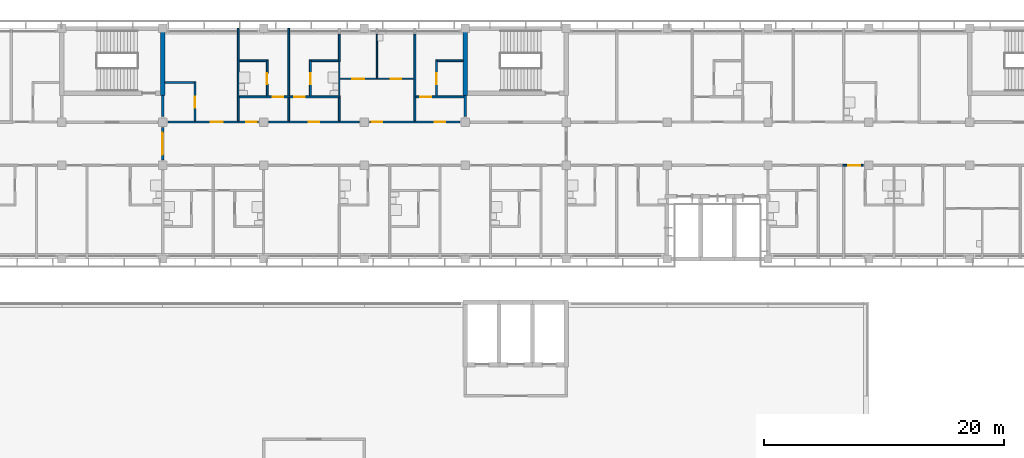
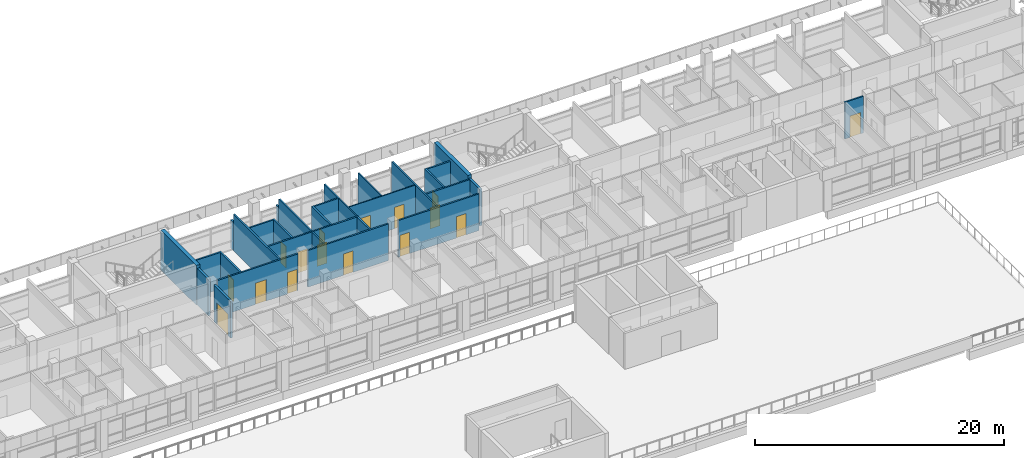
# One storey, part 25 of 46: 30 walls, 16 doors, 16 openings.
"""IFC4 building model written with IfcOpenShell, lengths in metres."""

from ifc_helpers import new_model, si_unit, direction, frame, frame_2d, origin, place, context, subcontext, project, spatial, rectangle, extrude, material, layer, layer_set, type_object, element, fill, save


model = new_model("IFC4")

# Units and contexts
model_context = context("Model", 3, precision=1e-05, world=origin(), true_north=direction((0.0, 1.0)))
body_context = subcontext(model_context, "Body", "Model", "MODEL_VIEW")
ifc_project = project(units=[si_unit("LENGTHUNIT", "METRE"), si_unit("AREAUNIT", "SQUARE_METRE"), si_unit("VOLUMEUNIT", "CUBIC_METRE"), si_unit("PLANEANGLEUNIT", "RADIAN"), si_unit("MASSUNIT", "GRAM", prefix="KILO")], contexts=[model_context])

# Site, building, storey
site_placement = place(None, origin())
site = spatial("IfcSite", under=ifc_project, at=site_placement, CompositionType="ELEMENT")
building_placement = place(site_placement, origin())
building = spatial("IfcBuilding", under=site, at=building_placement, Name="Bougainvillea Quay General Hospital", CompositionType="ELEMENT")
storey_placement = place(building_placement, frame((0.0, 0.0, 28.800048828125)))
storey = spatial("IfcBuildingStorey", under=building, at=storey_placement, Name="L06", CompositionType="ELEMENT", Elevation=28.800048828125)

# Wall
ifc_material_1 = material(Name="Gypsum board partition on steel studs", Category="steel")
ifc_layer_1 = layer(ifc_material_1, 0.10009765625)
ifc_layer_set_1 = layer_set([ifc_layer_1], Name="Gypsum board partition on steel studs")
wall_type_1 = type_object("IfcWallType", Name="Partition 100 Gypsum board partition", PredefinedType="PARTITIONING", material=ifc_layer_set_1)
wall_1_placement = place(storey_placement, frame((123.89990234375, 153.97509765625, 0.0), z_axis=(0.0, 0.0, 1.0), x_axis=(0.0, 1.0, 0.0)))
element("IfcWall", 1, at=wall_1_placement, inside=storey, type_object=wall_type_1, Name="Partition 100 mm", PredefinedType="PARTITIONING", context=body_context, shape_type="SweptSolid", body=[
    extrude(rectangle(XDim=2.849853515625, YDim=0.10009765625, at=frame_2d((1.4248046875, 0.0))), origin(), (0.0, 0.0, 1.0), 3.599853515625),
])

# Wall, openings, doors
wall_2_placement = place(storey_placement, frame((123.949951171875, 155.39990234375, 0.0), z_axis=(0.0, 0.0, 1.0), x_axis=(1.0, 0.0, 0.0)))
wall_2 = element("IfcWall", 2, at=wall_2_placement, inside=storey, type_object=wall_type_1, Name="Partition 100 mm", PredefinedType="PARTITIONING", context=body_context, shape_type="SweptSolid", body=[
    extrude(rectangle(XDim=6.175048828125, YDim=0.10009765625, at=frame_2d((3.08740234375, 0.0))), origin(), (0.0, 0.0, 1.0), 3.599853515625),
])
opening_1_placement = place(wall_2_placement, frame((1.02490234375, 0.0, 0.0)))
opening_1 = element("IfcOpeningElement", 3, at=opening_1_placement, cuts=wall_2, Name="Opening L06.070", PredefinedType="OPENING", context=body_context, shape_type="SweptSolid", body=[
    extrude(rectangle(XDim=1.0, YDim=2.10009765625, at=frame_2d((0.5, 1.050048828125))), frame((0.0, 0.06005859375, 0.0), z_axis=(0.0, -1.0, 0.0), x_axis=(1.0, 0.0, 0.0)), (0.0, 0.0, 1.0), 0.1201171875),
])
opening_2_placement = place(wall_2_placement, frame((4.22509765625, 0.0, 0.0)))
opening_2 = element("IfcOpeningElement", 4, at=opening_2_placement, cuts=wall_2, Name="Opening L06.071", PredefinedType="OPENING", context=body_context, shape_type="SweptSolid", body=[
    extrude(rectangle(XDim=0.89990234375, YDim=2.10009765625, at=frame_2d((0.449951171875, 1.050048828125))), frame((0.0, 0.06005859375, 0.0), z_axis=(0.0, -1.0, 0.0), x_axis=(1.0, 0.0, 0.0)), (0.0, 0.0, 1.0), 0.1201171875),
])
ifc_material_2 = material(Name="Solid-core timber door leaf in steel frame", Category="steel")
door_type_1 = type_object("IfcDoorType", Name="Single leaf door 1000x2100", OperationType="NOTDEFINED", PredefinedType="DOOR", material=ifc_material_2)
door_1_placement = place(opening_1_placement, origin())
door_1 = element("IfcDoor", 5, at=door_1_placement, inside=storey, type_object=door_type_1, Name="DT06 L06.070", OperationType="SINGLE_SWING_LEFT", OverallHeight=2.10009765625, OverallWidth=1.0, PredefinedType="DOOR", context=body_context, shape_type="SweptSolid", body=[
    extrude(rectangle(XDim=1.0, YDim=2.10009765625, at=frame_2d((0.5, 1.050048828125))), frame((0.0, 0.02490234375, 0.0), z_axis=(0.0, -1.0, 0.0), x_axis=(1.0, 0.0, 0.0)), (0.0, 0.0, 1.0), 0.050048828125),
])
fill(opening_1, door_1)
door_type_2 = type_object("IfcDoorType", Name="Single leaf door 900x2100", OperationType="NOTDEFINED", PredefinedType="DOOR", material=ifc_material_2)
door_2_placement = place(opening_2_placement, origin())
door_2 = element("IfcDoor", 6, at=door_2_placement, inside=storey, type_object=door_type_2, Name="DT07 L06.071", OperationType="SINGLE_SWING_RIGHT", OverallHeight=2.10009765625, OverallWidth=0.89990234375, PredefinedType="DOOR", context=body_context, shape_type="SweptSolid", body=[
    extrude(rectangle(XDim=0.89990234375, YDim=2.10009765625, at=frame_2d((0.449951171875, 1.050048828125))), frame((0.0, 0.02490234375, 0.0), z_axis=(0.0, -1.0, 0.0), x_axis=(1.0, 0.0, 0.0)), (0.0, 0.0, 1.0), 0.050048828125),
])
fill(opening_2, door_2)

# Walls
wall_3_placement = place(storey_placement, frame((127.050048828125, 155.449951171875, 0.0), z_axis=(0.0, 0.0, 1.0), x_axis=(0.0, 1.0, 0.0)))
element("IfcWall", 7, at=wall_3_placement, inside=storey, type_object=wall_type_1, Name="Partition 100 mm", PredefinedType="PARTITIONING", context=body_context, shape_type="SweptSolid", body=[
    extrude(rectangle(XDim=3.699951171875, YDim=0.10009765625, at=frame_2d((1.85009765625, 0.0))), origin(), (0.0, 0.0, 1.0), 3.599853515625),
])
ifc_material_3 = material(Name="Gypsum board partition on steel studs, insulated", Category="steel")
ifc_layer_2 = layer(ifc_material_3, 0.14990234375)
ifc_layer_set_2 = layer_set([ifc_layer_2], Name="Gypsum board partition on steel studs, insulated")
wall_type_2 = type_object("IfcWallType", Name="Partition 150 Gypsum board partition", PredefinedType="PARTITIONING", material=ifc_layer_set_2)
wall_4_placement = place(storey_placement, frame((115.5, 159.60009765625, 0.0), z_axis=(0.0, 0.0, 1.0), x_axis=(0.0, -1.0, 0.0)))
element("IfcWall", 8, at=wall_4_placement, inside=storey, type_object=wall_type_2, Name="Partition 150 mm", PredefinedType="PARTITIONING", context=body_context, shape_type="SweptSolid", body=[
    extrude(rectangle(XDim=0.4501953125, YDim=0.14990234375, at=frame_2d((0.22509765625, 0.0))), origin(), (0.0, 0.0, 1.0), 2.780029296875),
])
wall_5_placement = place(storey_placement, frame((115.5, 159.14990234375, 0.0), z_axis=(0.0, 0.0, 1.0), x_axis=(0.0, -1.0, 0.0)))
element("IfcWall", 9, at=wall_5_placement, inside=storey, type_object=wall_type_2, Name="Partition 150 mm", PredefinedType="PARTITIONING", context=body_context, shape_type="SweptSolid", body=[
    extrude(rectangle(XDim=7.27490234375, YDim=0.14990234375, at=frame_2d((3.637451171875, 0.0))), origin(), (0.0, 0.0, 1.0), 3.599853515625),
])

# Wall, openings, doors
wall_6_placement = place(storey_placement, frame((123.97509765625, 153.89990234375, 0.0), z_axis=(0.0, 0.0, 1.0), x_axis=(-1.0, 0.0, 0.0)))
wall_6 = element("IfcWall", 10, at=wall_6_placement, inside=storey, type_object=wall_type_2, Name="Partition 150 mm", PredefinedType="PARTITIONING", context=body_context, shape_type="SweptSolid", body=[
    extrude(rectangle(XDim=8.400146484375, YDim=0.14990234375, at=frame_2d((4.2001953125, 0.0))), origin(), (0.0, 0.0, 1.0), 3.599853515625),
])
opening_3_placement = place(wall_6_placement, frame((4.72509765625, 0.0, 0.0)))
opening_3 = element("IfcOpeningElement", 11, at=opening_3_placement, cuts=wall_6, Name="Opening L06.064", PredefinedType="OPENING", context=body_context, shape_type="SweptSolid", body=[
    extrude(rectangle(XDim=0.89990234375, YDim=2.10009765625, at=frame_2d((0.449951171875, 1.050048828125))), frame((0.0, 0.0849609375, 0.0), z_axis=(0.0, -1.0, 0.0), x_axis=(1.0, 0.0, 0.0)), (0.0, 0.0, 1.0), 0.169921875),
])
opening_4_placement = place(wall_6_placement, frame((2.925048828125, 0.0, 0.0)))
opening_4 = element("IfcOpeningElement", 12, at=opening_4_placement, cuts=wall_6, Name="Opening L06.067", PredefinedType="OPENING", context=body_context, shape_type="SweptSolid", body=[
    extrude(rectangle(XDim=0.89990234375, YDim=2.10009765625, at=frame_2d((0.449951171875, 1.050048828125))), frame((0.0, 0.0849609375, 0.0), z_axis=(0.0, -1.0, 0.0), x_axis=(1.0, 0.0, 0.0)), (0.0, 0.0, 1.0), 0.169921875),
])
door_type_3 = type_object("IfcDoorType", Name="Single leaf door 900x2100 FD30S", OperationType="NOTDEFINED", PredefinedType="DOOR", material=ifc_material_2)
door_3_placement = place(opening_3_placement, frame((0.89990234375, 0.0, 0.0), z_axis=(0.0, 0.0, 1.0), x_axis=(-1.0, 0.0, 0.0)))
door_3 = element("IfcDoor", 13, at=door_3_placement, inside=storey, type_object=door_type_3, Name="DT16 L06.064", OperationType="SINGLE_SWING_LEFT", OverallHeight=2.10009765625, OverallWidth=0.89990234375, PredefinedType="DOOR", context=body_context, shape_type="SweptSolid", body=[
    extrude(rectangle(XDim=0.89990234375, YDim=2.10009765625, at=frame_2d((0.449951171875, 1.050048828125))), frame((0.0, 0.02490234375, 0.0), z_axis=(0.0, -1.0, 0.0), x_axis=(1.0, 0.0, 0.0)), (0.0, 0.0, 1.0), 0.050048828125),
])
fill(opening_3, door_3)
door_4_placement = place(opening_4_placement, frame((0.89990234375, 0.0, 0.0), z_axis=(0.0, 0.0, 1.0), x_axis=(-1.0, 0.0, 0.0)))
door_4 = element("IfcDoor", 14, at=door_4_placement, inside=storey, type_object=door_type_3, Name="DT16 L06.067", OperationType="SINGLE_SWING_RIGHT", OverallHeight=2.10009765625, OverallWidth=0.89990234375, PredefinedType="DOOR", context=body_context, shape_type="SweptSolid", body=[
    extrude(rectangle(XDim=0.89990234375, YDim=2.10009765625, at=frame_2d((0.449951171875, 1.050048828125))), frame((0.0, 0.02490234375, 0.0), z_axis=(0.0, -1.0, 0.0), x_axis=(1.0, 0.0, 0.0)), (0.0, 0.0, 1.0), 0.050048828125),
])
fill(opening_4, door_4)

# Walls
wall_7_placement = place(storey_placement, frame((119.699951171875, 151.875, 0.0), z_axis=(0.0, 0.0, 1.0), x_axis=(0.0, 1.0, 0.0)))
element("IfcWall", 15, at=wall_7_placement, inside=storey, type_object=wall_type_2, Name="Partition 150 mm", PredefinedType="PARTITIONING", context=body_context, shape_type="SweptSolid", body=[
    extrude(rectangle(XDim=1.949951171875, YDim=0.14990234375, at=frame_2d((0.97509765625, 0.0))), origin(), (0.0, 0.0, 1.0), 3.599853515625),
])
wall_8_placement = place(storey_placement, frame((119.699951171875, 153.97509765625, 0.0), z_axis=(0.0, 0.0, 1.0), x_axis=(0.0, 1.0, 0.0)))
element("IfcWall", 16, at=wall_8_placement, inside=storey, type_object=wall_type_2, Name="Partition 150 mm", PredefinedType="PARTITIONING", context=body_context, shape_type="SweptSolid", body=[
    extrude(rectangle(XDim=5.1748046875, YDim=0.14990234375, at=frame_2d((2.58740234375, 0.0))), origin(), (0.0, 0.0, 1.0), 3.599853515625),
])
wall_9_placement = place(storey_placement, frame((119.699951171875, 159.14990234375, 0.0), z_axis=(0.0, 0.0, 1.0), x_axis=(0.0, 1.0, 0.0)))
element("IfcWall", 17, at=wall_9_placement, inside=storey, type_object=wall_type_2, Name="Partition 150 mm", PredefinedType="PARTITIONING", context=body_context, shape_type="SweptSolid", body=[
    extrude(rectangle(XDim=0.4501953125, YDim=0.14990234375, at=frame_2d((0.22509765625, 0.0))), origin(), (0.0, 0.0, 1.0), 2.780029296875),
])
wall_10_placement = place(storey_placement, frame((130.199951171875, 159.14990234375, 0.0), z_axis=(0.0, 0.0, 1.0), x_axis=(0.0, -1.0, 0.0)))
element("IfcWall", 18, at=wall_10_placement, inside=storey, type_object=wall_type_2, Name="Partition 150 mm", PredefinedType="PARTITIONING", context=body_context, shape_type="SweptSolid", body=[
    extrude(rectangle(XDim=7.27490234375, YDim=0.14990234375, at=frame_2d((3.637451171875, 0.0))), origin(), (0.0, 0.0, 1.0), 3.599853515625),
])

# Wall, opening, door
wall_11_placement = place(storey_placement, frame((130.27490234375, 153.89990234375, 0.0), z_axis=(0.0, 0.0, 1.0), x_axis=(1.0, 0.0, 0.0)))
wall_11 = element("IfcWall", 19, at=wall_11_placement, inside=storey, type_object=wall_type_2, Name="Partition 150 mm", PredefinedType="PARTITIONING", context=body_context, shape_type="SweptSolid", body=[
    extrude(rectangle(XDim=4.025146484375, YDim=0.14990234375, at=frame_2d((2.0126953125, 0.0))), origin(), (0.0, 0.0, 1.0), 3.599853515625),
])
opening_5_placement = place(wall_11_placement, frame((0.375, 0.0, 0.0)))
opening_5 = element("IfcOpeningElement", 20, at=opening_5_placement, cuts=wall_11, Name="Opening L06.073", PredefinedType="OPENING", context=body_context, shape_type="SweptSolid", body=[
    extrude(rectangle(XDim=0.89990234375, YDim=2.10009765625, at=frame_2d((0.449951171875, 1.050048828125))), frame((0.0, 0.0849609375, 0.0), z_axis=(0.0, -1.0, 0.0), x_axis=(1.0, 0.0, 0.0)), (0.0, 0.0, 1.0), 0.169921875),
])
door_5_placement = place(opening_5_placement, origin())
door_5 = element("IfcDoor", 21, at=door_5_placement, inside=storey, type_object=door_type_3, Name="DT16 L06.073", OperationType="SINGLE_SWING_LEFT", OverallHeight=2.10009765625, OverallWidth=0.89990234375, PredefinedType="DOOR", context=body_context, shape_type="SweptSolid", body=[
    extrude(rectangle(XDim=0.89990234375, YDim=2.10009765625, at=frame_2d((0.449951171875, 1.050048828125))), frame((0.0, 0.02490234375, 0.0), z_axis=(0.0, -1.0, 0.0), x_axis=(1.0, 0.0, 0.0)), (0.0, 0.0, 1.0), 0.050048828125),
])
fill(opening_5, door_5)

wall_12_placement = place(storey_placement, frame((111.89990234375, 151.875, 0.0), z_axis=(0.0, 0.0, 1.0), x_axis=(0.0, 1.0, 0.0)))
wall_12 = element("IfcWall", 22, at=wall_12_placement, inside=storey, type_object=wall_type_2, Name="Partition 150 mm", PredefinedType="PARTITIONING", context=body_context, shape_type="SweptSolid", body=[
    extrude(rectangle(XDim=3.300048828125, YDim=0.14990234375, at=frame_2d((1.64990234375, 0.0))), origin(), (0.0, 0.0, 1.0), 3.599853515625),
])
opening_6_placement = place(wall_12_placement, frame((1.125, 0.0, 0.0)))
opening_6 = element("IfcOpeningElement", 23, at=opening_6_placement, cuts=wall_12, Name="Opening L06.062", PredefinedType="OPENING", context=body_context, shape_type="SweptSolid", body=[
    extrude(rectangle(XDim=0.89990234375, YDim=2.10009765625, at=frame_2d((0.449951171875, 1.050048828125))), frame((0.0, 0.0849609375, 0.0), z_axis=(0.0, -1.0, 0.0), x_axis=(1.0, 0.0, 0.0)), (0.0, 0.0, 1.0), 0.169921875),
])
door_6_placement = place(opening_6_placement, origin())
door_6 = element("IfcDoor", 24, at=door_6_placement, inside=storey, type_object=door_type_2, Name="DT07 L06.062", OperationType="SINGLE_SWING_LEFT", OverallHeight=2.10009765625, OverallWidth=0.89990234375, PredefinedType="DOOR", context=body_context, shape_type="SweptSolid", body=[
    extrude(rectangle(XDim=0.89990234375, YDim=2.10009765625, at=frame_2d((0.449951171875, 1.050048828125))), frame((0.0, 0.02490234375, 0.0), z_axis=(0.0, -1.0, 0.0), x_axis=(1.0, 0.0, 0.0)), (0.0, 0.0, 1.0), 0.050048828125),
])
fill(opening_6, door_6)

wall_13_placement = place(storey_placement, frame((117.89990234375, 153.97509765625, 0.0), z_axis=(0.0, 0.0, 1.0), x_axis=(0.0, 1.0, 0.0)))
wall_13 = element("IfcWall", 25, at=wall_13_placement, inside=storey, type_object=wall_type_2, Name="Partition 150 mm", PredefinedType="PARTITIONING", context=body_context, shape_type="SweptSolid", body=[
    extrude(rectangle(XDim=3.0, YDim=0.14990234375, at=frame_2d((1.5, 0.0))), origin(), (0.0, 0.0, 1.0), 3.599853515625),
])
opening_7_placement = place(wall_13_placement, frame((0.97509765625, 0.0, 0.0)))
opening_7 = element("IfcOpeningElement", 26, at=opening_7_placement, cuts=wall_13, Name="Opening L06.065", PredefinedType="OPENING", context=body_context, shape_type="SweptSolid", body=[
    extrude(rectangle(XDim=0.89990234375, YDim=2.10009765625, at=frame_2d((0.449951171875, 1.050048828125))), frame((0.0, 0.0849609375, 0.0), z_axis=(0.0, -1.0, 0.0), x_axis=(1.0, 0.0, 0.0)), (0.0, 0.0, 1.0), 0.169921875),
])
door_7_placement = place(opening_7_placement, origin())
door_7 = element("IfcDoor", 27, at=door_7_placement, inside=storey, type_object=door_type_2, Name="DT07 L06.065", OperationType="SINGLE_SWING_LEFT", OverallHeight=2.10009765625, OverallWidth=0.89990234375, PredefinedType="DOOR", context=body_context, shape_type="SweptSolid", body=[
    extrude(rectangle(XDim=0.89990234375, YDim=2.10009765625, at=frame_2d((0.449951171875, 1.050048828125))), frame((0.0, 0.02490234375, 0.0), z_axis=(0.0, -1.0, 0.0), x_axis=(1.0, 0.0, 0.0)), (0.0, 0.0, 1.0), 0.050048828125),
])
fill(opening_7, door_7)

wall_14_placement = place(storey_placement, frame((121.5, 153.97509765625, 0.0), z_axis=(0.0, 0.0, 1.0), x_axis=(0.0, 1.0, 0.0)))
wall_14 = element("IfcWall", 28, at=wall_14_placement, inside=storey, type_object=wall_type_2, Name="Partition 150 mm", PredefinedType="PARTITIONING", context=body_context, shape_type="SweptSolid", body=[
    extrude(rectangle(XDim=3.0, YDim=0.14990234375, at=frame_2d((1.5, 0.0))), origin(), (0.0, 0.0, 1.0), 3.599853515625),
])
opening_8_placement = place(wall_14_placement, frame((0.97509765625, 0.0, 0.0)))
opening_8 = element("IfcOpeningElement", 29, at=opening_8_placement, cuts=wall_14, Name="Opening L06.068", PredefinedType="OPENING", context=body_context, shape_type="SweptSolid", body=[
    extrude(rectangle(XDim=0.89990234375, YDim=2.10009765625, at=frame_2d((0.449951171875, 1.050048828125))), frame((0.0, 0.0849609375, 0.0), z_axis=(0.0, -1.0, 0.0), x_axis=(1.0, 0.0, 0.0)), (0.0, 0.0, 1.0), 0.169921875),
])
door_8_placement = place(opening_8_placement, frame((0.89990234375, 0.0, 0.0), z_axis=(0.0, 0.0, 1.0), x_axis=(-1.0, 0.0, 0.0)))
door_8 = element("IfcDoor", 30, at=door_8_placement, inside=storey, type_object=door_type_2, Name="DT07 L06.068", OperationType="SINGLE_SWING_RIGHT", OverallHeight=2.10009765625, OverallWidth=0.89990234375, PredefinedType="DOOR", context=body_context, shape_type="SweptSolid", body=[
    extrude(rectangle(XDim=0.89990234375, YDim=2.10009765625, at=frame_2d((0.449951171875, 1.050048828125))), frame((0.0, 0.02490234375, 0.0), z_axis=(0.0, -1.0, 0.0), x_axis=(1.0, 0.0, 0.0)), (0.0, 0.0, 1.0), 0.050048828125),
])
fill(opening_8, door_8)

wall_15_placement = place(storey_placement, frame((132.0, 153.97509765625, 0.0), z_axis=(0.0, 0.0, 1.0), x_axis=(0.0, 1.0, 0.0)))
wall_15 = element("IfcWall", 31, at=wall_15_placement, inside=storey, type_object=wall_type_2, Name="Partition 150 mm", PredefinedType="PARTITIONING", context=body_context, shape_type="SweptSolid", body=[
    extrude(rectangle(XDim=3.0, YDim=0.14990234375, at=frame_2d((1.5, 0.0))), origin(), (0.0, 0.0, 1.0), 3.599853515625),
])
opening_9_placement = place(wall_15_placement, frame((0.97509765625, 0.0, 0.0)))
opening_9 = element("IfcOpeningElement", 32, at=opening_9_placement, cuts=wall_15, Name="Opening L06.074", PredefinedType="OPENING", context=body_context, shape_type="SweptSolid", body=[
    extrude(rectangle(XDim=0.89990234375, YDim=2.10009765625, at=frame_2d((0.449951171875, 1.050048828125))), frame((0.0, 0.0849609375, 0.0), z_axis=(0.0, -1.0, 0.0), x_axis=(1.0, 0.0, 0.0)), (0.0, 0.0, 1.0), 0.169921875),
])
door_9_placement = place(opening_9_placement, frame((0.89990234375, 0.0, 0.0), z_axis=(0.0, 0.0, 1.0), x_axis=(-1.0, 0.0, 0.0)))
door_9 = element("IfcDoor", 33, at=door_9_placement, inside=storey, type_object=door_type_2, Name="DT07 L06.074", OperationType="SINGLE_SWING_RIGHT", OverallHeight=2.10009765625, OverallWidth=0.89990234375, PredefinedType="DOOR", context=body_context, shape_type="SweptSolid", body=[
    extrude(rectangle(XDim=0.89990234375, YDim=2.10009765625, at=frame_2d((0.449951171875, 1.050048828125))), frame((0.0, 0.02490234375, 0.0), z_axis=(0.0, -1.0, 0.0), x_axis=(1.0, 0.0, 0.0)), (0.0, 0.0, 1.0), 0.050048828125),
])
fill(opening_9, door_9)

# Walls
wall_16_placement = place(storey_placement, frame((109.375, 155.10009765625, 0.0), z_axis=(0.0, 0.0, 1.0), x_axis=(1.0, 0.0, 0.0)))
element("IfcWall", 34, at=wall_16_placement, inside=storey, type_object=wall_type_2, Name="Partition 150 mm", PredefinedType="PARTITIONING", context=body_context, shape_type="SweptSolid", body=[
    extrude(rectangle(XDim=2.449951171875, YDim=0.14990234375, at=frame_2d((1.22509765625, 0.0))), origin(), (0.0, 0.0, 1.0), 3.599853515625),
])
wall_17_placement = place(storey_placement, frame((123.89990234375, 156.824951171875, 0.0), z_axis=(0.0, 0.0, 1.0), x_axis=(0.0, 1.0, 0.0)))
element("IfcWall", 35, at=wall_17_placement, inside=storey, type_object=wall_type_2, Name="Partition 150 mm", PredefinedType="PARTITIONING", context=body_context, shape_type="SweptSolid", body=[
    extrude(rectangle(XDim=2.324951171875, YDim=0.14990234375, at=frame_2d((1.16259765625, 0.0))), origin(), (0.0, 0.0, 1.0), 3.599853515625),
])
for number, where, z_axis, x_axis, name in (
    (36, (115.574951171875, 156.89990234375, 0.0), (0.0, 0.0, 1.0), (1.0, 0.0, 0.0), "Partition 150 mm"),
    (37, (121.574951171875, 156.89990234375, 0.0), (0.0, 0.0, 1.0), (1.0, 0.0, 0.0), "Partition 150 mm"),
):
    element("IfcWall", number, at=place(storey_placement, frame(where, z_axis=z_axis, x_axis=x_axis)), inside=storey, type_object=wall_type_2, Name=name, PredefinedType="PARTITIONING", context=body_context, shape_type="SweptSolid", body=[
        extrude(rectangle(XDim=2.25, YDim=0.14990234375, at=frame_2d((1.125, 0.0))), origin(), (0.0, 0.0, 1.0), 3.599853515625),
    ])
wall_18_placement = place(storey_placement, frame((132.074951171875, 156.89990234375, 0.0), z_axis=(0.0, 0.0, 1.0), x_axis=(1.0, 0.0, 0.0)))
element("IfcWall", 38, at=wall_18_placement, inside=storey, type_object=wall_type_2, Name="Partition 150 mm", PredefinedType="PARTITIONING", context=body_context, shape_type="SweptSolid", body=[
    extrude(rectangle(XDim=2.150146484375, YDim=0.14990234375, at=frame_2d((1.0751953125, 0.0))), origin(), (0.0, 0.0, 1.0), 3.599853515625),
])
wall_19_placement = place(storey_placement, frame((123.89990234375, 151.875, 0.0), z_axis=(0.0, 0.0, 1.0), x_axis=(0.0, 1.0, 0.0)))
element("IfcWall", 39, at=wall_19_placement, inside=storey, type_object=wall_type_2, Name="Partition 150 mm", PredefinedType="PARTITIONING", context=body_context, shape_type="SweptSolid", body=[
    extrude(rectangle(XDim=1.949951171875, YDim=0.14990234375, at=frame_2d((0.97509765625, 0.0))), origin(), (0.0, 0.0, 1.0), 3.599853515625),
])

# Wall, openings, doors
ifc_layer_3 = layer(ifc_material_3, 0.14990234375)
ifc_layer_set_3 = layer_set([ifc_layer_3], Name="Gypsum board partition on steel studs, insulated")
wall_type_3 = type_object("IfcWallType", Name="Partition 150 Gypsum board partition EI 30", PredefinedType="PARTITIONING", material=ifc_layer_set_3)
wall_20_placement = place(storey_placement, frame((133.949951171875, 151.800048828125, 0.0), z_axis=(0.0, 0.0, 1.0), x_axis=(-1.0, 0.0, 0.0)))
wall_20 = element("IfcWall", 40, at=wall_20_placement, inside=storey, type_object=wall_type_3, Name="Partition 150 mm EI 30", PredefinedType="PARTITIONING", context=body_context, shape_type="SweptSolid", body=[
    extrude(rectangle(XDim=7.5, YDim=0.14990234375, at=frame_2d((3.75, 0.0))), origin(), (0.0, 0.0, 1.0), 3.599853515625),
])
opening_10_placement = place(wall_20_placement, frame((6.449951171875, 0.0, 0.0)))
opening_10 = element("IfcOpeningElement", 41, at=opening_10_placement, cuts=wall_20, Name="Opening L06.069", PredefinedType="OPENING", context=body_context, shape_type="SweptSolid", body=[
    extrude(rectangle(XDim=0.89990234375, YDim=2.10009765625, at=frame_2d((0.449951171875, 1.050048828125))), frame((0.0, 0.0849609375, 0.0), z_axis=(0.0, -1.0, 0.0), x_axis=(1.0, 0.0, 0.0)), (0.0, 0.0, 1.0), 0.169921875),
])
opening_11_placement = place(wall_20_placement, frame((1.199951171875, 0.0, 0.0)))
opening_11 = element("IfcOpeningElement", 42, at=opening_11_placement, cuts=wall_20, Name="Opening L06.072", PredefinedType="OPENING", context=body_context, shape_type="SweptSolid", body=[
    extrude(rectangle(XDim=0.89990234375, YDim=2.10009765625, at=frame_2d((0.449951171875, 1.050048828125))), frame((0.0, 0.0849609375, 0.0), z_axis=(0.0, -1.0, 0.0), x_axis=(1.0, 0.0, 0.0)), (0.0, 0.0, 1.0), 0.169921875),
])
door_10_placement = place(opening_11_placement, frame((0.89990234375, 0.0, 0.0), z_axis=(0.0, 0.0, 1.0), x_axis=(-1.0, 0.0, 0.0)))
door_10 = element("IfcDoor", 43, at=door_10_placement, inside=storey, type_object=door_type_3, Name="DT16 L06.072", OperationType="SINGLE_SWING_RIGHT", OverallHeight=2.10009765625, OverallWidth=0.89990234375, PredefinedType="DOOR", context=body_context, shape_type="SweptSolid", body=[
    extrude(rectangle(XDim=0.89990234375, YDim=2.10009765625, at=frame_2d((0.449951171875, 1.050048828125))), frame((0.0, 0.02490234375, 0.0), z_axis=(0.0, -1.0, 0.0), x_axis=(1.0, 0.0, 0.0)), (0.0, 0.0, 1.0), 0.050048828125),
])
fill(opening_11, door_10)
door_type_4 = type_object("IfcDoorType", Name="Single leaf door 900x2100 FD60", OperationType="NOTDEFINED", PredefinedType="DOOR", material=ifc_material_2)
door_11_placement = place(opening_10_placement, frame((0.89990234375, 0.0, 0.0), z_axis=(0.0, 0.0, 1.0), x_axis=(-1.0, 0.0, 0.0)))
door_11 = element("IfcDoor", 44, at=door_11_placement, inside=storey, type_object=door_type_4, Name="DT18 L06.069", OperationType="SINGLE_SWING_LEFT", OverallHeight=2.10009765625, OverallWidth=0.89990234375, PredefinedType="DOOR", context=body_context, shape_type="SweptSolid", body=[
    extrude(rectangle(XDim=0.89990234375, YDim=2.10009765625, at=frame_2d((0.449951171875, 1.050048828125))), frame((0.0, 0.02490234375, 0.0), z_axis=(0.0, -1.0, 0.0), x_axis=(1.0, 0.0, 0.0)), (0.0, 0.0, 1.0), 0.050048828125),
])
fill(opening_10, door_11)

# Wall, opening, door
wall_21_placement = place(storey_placement, frame((125.550048828125, 151.800048828125, 0.0), z_axis=(0.0, 0.0, 1.0), x_axis=(-1.0, 0.0, 0.0)))
wall_21 = element("IfcWall", 45, at=wall_21_placement, inside=storey, type_object=wall_type_3, Name="Partition 150 mm EI 30", PredefinedType="PARTITIONING", context=body_context, shape_type="SweptSolid", body=[
    extrude(rectangle(XDim=7.5, YDim=0.14990234375, at=frame_2d((3.75, 0.0))), origin(), (0.0, 0.0, 1.0), 3.599853515625),
])
opening_12_placement = place(wall_21_placement, frame((3.300048828125, 0.0, 0.0)))
opening_12 = element("IfcOpeningElement", 46, at=opening_12_placement, cuts=wall_21, Name="Opening L06.066", PredefinedType="OPENING", context=body_context, shape_type="SweptSolid", body=[
    extrude(rectangle(XDim=0.89990234375, YDim=2.10009765625, at=frame_2d((0.449951171875, 1.050048828125))), frame((0.0, 0.0849609375, 0.0), z_axis=(0.0, -1.0, 0.0), x_axis=(1.0, 0.0, 0.0)), (0.0, 0.0, 1.0), 0.169921875),
])
door_12_placement = place(opening_12_placement, frame((0.89990234375, 0.0, 0.0), z_axis=(0.0, 0.0, 1.0), x_axis=(-1.0, 0.0, 0.0)))
door_12 = element("IfcDoor", 47, at=door_12_placement, inside=storey, type_object=door_type_3, Name="DT16 L06.066", OperationType="SINGLE_SWING_RIGHT", OverallHeight=2.10009765625, OverallWidth=0.89990234375, PredefinedType="DOOR", context=body_context, shape_type="SweptSolid", body=[
    extrude(rectangle(XDim=0.89990234375, YDim=2.10009765625, at=frame_2d((0.449951171875, 1.050048828125))), frame((0.0, 0.02490234375, 0.0), z_axis=(0.0, -1.0, 0.0), x_axis=(1.0, 0.0, 0.0)), (0.0, 0.0, 1.0), 0.050048828125),
])
fill(opening_12, door_12)

# Wall, openings, doors
wall_22_placement = place(storey_placement, frame((117.14990234375, 151.800048828125, 0.0), z_axis=(0.0, 0.0, 1.0), x_axis=(-1.0, 0.0, 0.0)))
wall_22 = element("IfcWall", 48, at=wall_22_placement, inside=storey, type_object=wall_type_3, Name="Partition 150 mm EI 30", PredefinedType="PARTITIONING", context=body_context, shape_type="SweptSolid", body=[
    extrude(rectangle(XDim=7.5, YDim=0.14990234375, at=frame_2d((3.75, 0.0))), origin(), (0.0, 0.0, 1.0), 3.599853515625),
])
opening_13_placement = place(wall_22_placement, frame((2.949951171875, 0.0, 0.0)))
opening_13 = element("IfcOpeningElement", 49, at=opening_13_placement, cuts=wall_22, Name="Opening L06.061", PredefinedType="OPENING", context=body_context, shape_type="SweptSolid", body=[
    extrude(rectangle(XDim=1.0, YDim=2.10009765625, at=frame_2d((0.5, 1.050048828125))), frame((0.0, 0.0849609375, 0.0), z_axis=(0.0, -1.0, 0.0), x_axis=(1.0, 0.0, 0.0)), (0.0, 0.0, 1.0), 0.169921875),
])
opening_14_placement = place(wall_22_placement, frame((0.10009765625, 0.0, 0.0)))
opening_14 = element("IfcOpeningElement", 50, at=opening_14_placement, cuts=wall_22, Name="Opening L06.063", PredefinedType="OPENING", context=body_context, shape_type="SweptSolid", body=[
    extrude(rectangle(XDim=0.89990234375, YDim=2.10009765625, at=frame_2d((0.449951171875, 1.050048828125))), frame((0.0, 0.0849609375, 0.0), z_axis=(0.0, -1.0, 0.0), x_axis=(1.0, 0.0, 0.0)), (0.0, 0.0, 1.0), 0.169921875),
])
door_type_5 = type_object("IfcDoorType", Name="Single leaf door 1000x2100 FD30S", OperationType="NOTDEFINED", PredefinedType="DOOR", material=ifc_material_2)
door_13_placement = place(opening_13_placement, frame((1.0, 0.0, 0.0), z_axis=(0.0, 0.0, 1.0), x_axis=(-1.0, 0.0, 0.0)))
door_13 = element("IfcDoor", 51, at=door_13_placement, inside=storey, type_object=door_type_5, Name="DT15 L06.061", OperationType="SINGLE_SWING_RIGHT", OverallHeight=2.10009765625, OverallWidth=1.0, PredefinedType="DOOR", context=body_context, shape_type="SweptSolid", body=[
    extrude(rectangle(XDim=1.0, YDim=2.10009765625, at=frame_2d((0.5, 1.050048828125))), frame((0.0, 0.02490234375, 0.0), z_axis=(0.0, -1.0, 0.0), x_axis=(1.0, 0.0, 0.0)), (0.0, 0.0, 1.0), 0.050048828125),
])
fill(opening_13, door_13)
door_14_placement = place(opening_14_placement, frame((0.89990234375, 0.0, 0.0), z_axis=(0.0, 0.0, 1.0), x_axis=(-1.0, 0.0, 0.0)))
door_14 = element("IfcDoor", 52, at=door_14_placement, inside=storey, type_object=door_type_3, Name="DT16 L06.063", OperationType="SINGLE_SWING_RIGHT", OverallHeight=2.10009765625, OverallWidth=0.89990234375, PredefinedType="DOOR", context=body_context, shape_type="SweptSolid", body=[
    extrude(rectangle(XDim=0.89990234375, YDim=2.10009765625, at=frame_2d((0.449951171875, 1.050048828125))), frame((0.0, 0.02490234375, 0.0), z_axis=(0.0, -1.0, 0.0), x_axis=(1.0, 0.0, 0.0)), (0.0, 0.0, 1.0), 0.050048828125),
])
fill(opening_14, door_14)

# Wall, opening, door
wall_23_placement = place(storey_placement, frame((167.550048828125, 148.199951171875, 0.0), z_axis=(0.0, 0.0, 1.0), x_axis=(-1.0, 0.0, 0.0)))
wall_23 = element("IfcWall", 53, at=wall_23_placement, inside=storey, type_object=wall_type_3, Name="Partition 150 mm EI 30", PredefinedType="PARTITIONING", context=body_context, shape_type="SweptSolid", body=[
    extrude(rectangle(XDim=1.72509765625, YDim=0.14990234375, at=frame_2d((0.862548828125, 0.0))), origin(), (0.0, 0.0, 1.0), 3.599853515625),
])
opening_15_placement = place(wall_23_placement, frame((0.25, 0.0, 0.0)))
opening_15 = element("IfcOpeningElement", 54, at=opening_15_placement, cuts=wall_23, Name="Opening L06.092", PredefinedType="OPENING", context=body_context, shape_type="SweptSolid", body=[
    extrude(rectangle(XDim=1.0, YDim=2.10009765625, at=frame_2d((0.5, 1.050048828125))), frame((0.0, 0.0849609375, 0.0), z_axis=(0.0, -1.0, 0.0), x_axis=(1.0, 0.0, 0.0)), (0.0, 0.0, 1.0), 0.169921875),
])
door_15_placement = place(opening_15_placement, origin())
door_15 = element("IfcDoor", 55, at=door_15_placement, inside=storey, type_object=door_type_5, Name="DT15 L06.092", OperationType="SINGLE_SWING_LEFT", OverallHeight=2.10009765625, OverallWidth=1.0, PredefinedType="DOOR", context=body_context, shape_type="SweptSolid", body=[
    extrude(rectangle(XDim=1.0, YDim=2.10009765625, at=frame_2d((0.5, 1.050048828125))), frame((0.0, 0.02490234375, 0.0), z_axis=(0.0, -1.0, 0.0), x_axis=(1.0, 0.0, 0.0)), (0.0, 0.0, 1.0), 0.050048828125),
])
fill(opening_15, door_15)

# Wall
ifc_material_4 = material(Name="Fire-rated autoclaved aerated block wall, plastered")
ifc_layer_4 = layer(ifc_material_4, 0.199951171875)
ifc_layer_set_4 = layer_set([ifc_layer_4], Name="Fire-rated autoclaved aerated block wall, plastered")
wall_type_4 = type_object("IfcWallType", Name="Partition 200 Fire-rated autoclaved aerated block wall EI 120", PredefinedType="SOLIDWALL", material=ifc_layer_set_4)
wall_24_placement = place(storey_placement, frame((109.199951171875, 154.02490234375, 0.0), z_axis=(0.0, 0.0, 1.0), x_axis=(0.0, -1.0, 0.0)))
element("IfcWall", 56, at=wall_24_placement, inside=storey, type_object=wall_type_4, Name="Partition 200 mm EI 120", PredefinedType="SOLIDWALL", context=body_context, shape_type="SweptSolid", body=[
    extrude(rectangle(XDim=1.77490234375, YDim=0.199951171875, at=frame_2d((0.887451171875, 0.0))), origin(), (0.0, 0.0, 1.0), 3.599853515625),
])

# Wall, opening, door
wall_25_placement = place(storey_placement, frame((109.199951171875, 151.35009765625, 0.0), z_axis=(0.0, 0.0, 1.0), x_axis=(0.0, -1.0, 0.0)))
wall_25 = element("IfcWall", 57, at=wall_25_placement, inside=storey, type_object=wall_type_4, Name="Partition 200 mm EI 120", PredefinedType="SOLIDWALL", context=body_context, shape_type="SweptSolid", body=[
    extrude(rectangle(XDim=2.7001953125, YDim=0.199951171875, at=frame_2d((1.35009765625, 0.0))), origin(), (0.0, 0.0, 1.0), 3.599853515625),
])
opening_16_placement = place(wall_25_placement, frame((0.449951171875, 0.0, 0.0)))
opening_16 = element("IfcOpeningElement", 58, at=opening_16_placement, cuts=wall_25, Name="Opening L06.002", PredefinedType="OPENING", context=body_context, shape_type="SweptSolid", body=[
    extrude(rectangle(XDim=1.800048828125, YDim=2.10009765625, at=frame_2d((0.89990234375, 1.050048828125))), frame((0.0, 0.10986328125, 0.0), z_axis=(0.0, -1.0, 0.0), x_axis=(1.0, 0.0, 0.0)), (0.0, 0.0, 1.0), 0.219970703125),
])
ifc_material_5 = material(Name="Steel fire door leaves in steel frame", Category="steel")
door_type_6 = type_object("IfcDoorType", Name="Steel double leaf door 1800x2100 FD90", OperationType="DOUBLE_DOOR_SINGLE_SWING", PredefinedType="DOOR", material=ifc_material_5)
door_16_placement = place(opening_16_placement, origin())
door_16 = element("IfcDoor", 59, at=door_16_placement, inside=storey, type_object=door_type_6, Name="DT03 L06.002", OperationType="DOUBLE_DOOR_SINGLE_SWING", OverallHeight=2.10009765625, OverallWidth=1.800048828125, PredefinedType="DOOR", context=body_context, shape_type="SweptSolid", body=[
    extrude(rectangle(XDim=1.800048828125, YDim=2.10009765625, at=frame_2d((0.89990234375, 1.050048828125))), frame((0.0, 0.02490234375, 0.0), z_axis=(0.0, -1.0, 0.0), x_axis=(1.0, 0.0, 0.0)), (0.0, 0.0, 1.0), 0.050048828125),
])
fill(opening_16, door_16)

# Walls
wall_26_placement = place(storey_placement, frame((134.39990234375, 152.25, 0.0), z_axis=(0.0, 0.0, 1.0), x_axis=(0.0, 1.0, 0.0)))
element("IfcWall", 60, at=wall_26_placement, inside=storey, type_object=wall_type_4, Name="Partition 200 mm EI 120", PredefinedType="SOLIDWALL", context=body_context, shape_type="SweptSolid", body=[
    extrude(rectangle(XDim=1.77490234375, YDim=0.199951171875, at=frame_2d((0.887451171875, 0.0))), origin(), (0.0, 0.0, 1.0), 3.599853515625),
])
ifc_material_6 = material(Name="Concrete C40", Category="concrete")
ifc_layer_5 = layer(ifc_material_6, 0.35009765625)
ifc_layer_set_5 = layer_set([ifc_layer_5], Name="Concrete C40")
wall_type_5 = type_object("IfcWallType", Name="RC SHEAR WALL 350 C40", PredefinedType="SHEAR", material=ifc_layer_set_5)
wall_27_placement = place(storey_placement, frame((109.199951171875, 154.02490234375, 0.0), z_axis=(0.0, 0.0, 1.0), x_axis=(0.0, 1.0, 0.0)))
element("IfcWall", 61, at=wall_27_placement, inside=storey, type_object=wall_type_5, Name="Shear wall L06", PredefinedType="SHEAR", context=body_context, shape_type="SweptSolid", body=[
    extrude(rectangle(XDim=5.75, YDim=0.35009765625, at=frame_2d((2.875, 0.0))), origin(), (0.0, 0.0, 1.0), 3.89990234375),
])
wall_28_placement = place(storey_placement, frame((134.39990234375, 154.02490234375, 0.0), z_axis=(0.0, 0.0, 1.0), x_axis=(0.0, 1.0, 0.0)))
element("IfcWall", 62, at=wall_28_placement, inside=storey, type_object=wall_type_5, Name="Shear wall L06", PredefinedType="SHEAR", context=body_context, shape_type="SweptSolid", body=[
    extrude(rectangle(XDim=5.400146484375, YDim=0.35009765625, at=frame_2d((2.7001953125, 0.0))), origin(), (0.0, 0.0, 1.0), 3.89990234375),
])

save(model, "model.ifc")
